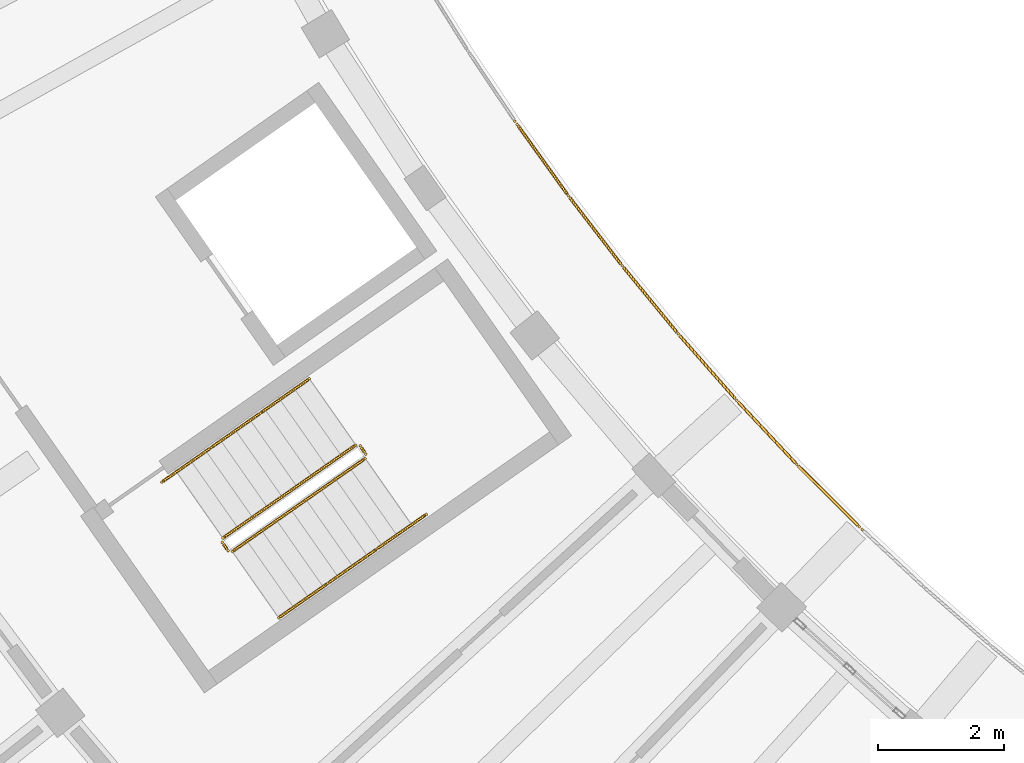
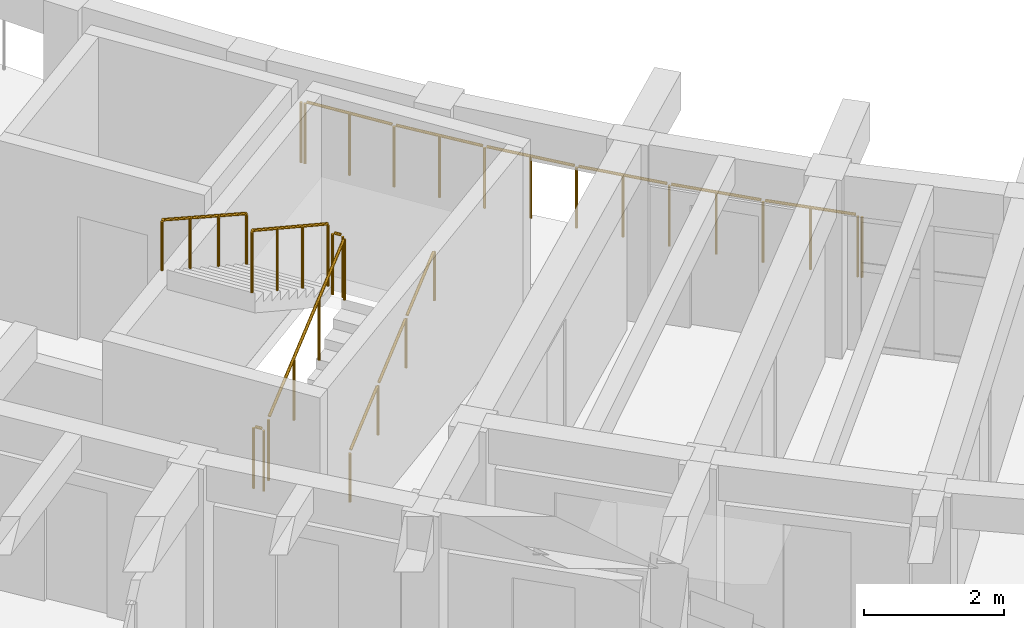
# One storey, part 62 of 78: 11 railings.
"""IFC4 building model written with IfcOpenShell, lengths in metres."""

from ifc_helpers import new_model, si_unit, direction, frame, origin, origin_2d, place, context, subcontext, project, spatial, circle, extrude, material, type_object, element, save


model = new_model("IFC4")

# Units and contexts
model_context = context("Model", 3, precision=1e-05, world=origin(), true_north=direction((0.0, 1.0)))
body_context = subcontext(model_context, "Body", "Model", "MODEL_VIEW")
ifc_project = project(units=[si_unit("LENGTHUNIT", "METRE"), si_unit("AREAUNIT", "SQUARE_METRE"), si_unit("VOLUMEUNIT", "CUBIC_METRE"), si_unit("PLANEANGLEUNIT", "RADIAN"), si_unit("MASSUNIT", "GRAM", prefix="KILO")], contexts=[model_context])

# Site, building, storey
site_placement = place(None, origin())
site = spatial("IfcSite", under=ifc_project, at=site_placement, CompositionType="ELEMENT")
building_placement = place(site_placement, origin())
building = spatial("IfcBuilding", under=site, at=building_placement, Name="Tanwirah Colonnade Gardens", CompositionType="ELEMENT")
storey_placement = place(building_placement, frame((0.0, 0.0, 22.280029296875)))
storey = spatial("IfcBuildingStorey", under=building, at=storey_placement, Name="L06", CompositionType="ELEMENT", Elevation=22.280029296875)

# Railings
ifc_material_1 = material(Name="Precast concrete C40/50", Category="concrete")
railing_type_1 = type_object("IfcRailingType", Name="BAL-EXT110", PredefinedType="BALUSTRADE", material=ifc_material_1)
railing_1_placement = place(storey_placement, frame((29.89892578125, 40.221923828125, 0.0)))
element("IfcRailing", 1, at=railing_1_placement, inside=storey, type_object=railing_type_1, Name="Block C L06 Balcony Ribbon Balustrade 3", PredefinedType="BALUSTRADE", context=body_context, shape_type="SweptSolid", body=[
    extrude(circle(Radius=0.02392578125, at=origin_2d()), frame((0.05224609375, -0.075927734375, 1.076171875), z_axis=(0.58342309678, -0.812168387802, 0.0), x_axis=(0.812168387802, 0.58342309678, 0.0)), (0.0, 0.0, 1.0), 1.331298828125),
    extrude(circle(Radius=0.02392578125, at=origin_2d()), frame((0.86767578125, -1.209716796875, 1.076171875), z_axis=(0.609651512095, -0.792669561546, 0.0), x_axis=(0.792669561546, 0.609651512095, 0.0)), (0.0, 0.0, 1.0), 1.33154296875),
    extrude(circle(Radius=0.02392578125, at=origin_2d()), frame((1.719970703125, -2.31591796875, 1.076171875), z_axis=(0.635209885743, -0.77233956331, 0.0), x_axis=(0.77233956331, 0.635209885743, 0.0)), (0.0, 0.0, 1.0), 1.33154296875),
    extrude(circle(Radius=0.02392578125, at=origin_2d()), frame((2.608154296875, -3.39404296875, 1.076171875), z_axis=(0.660288280901, -0.751012240982, 0.0), x_axis=(0.751012240982, 0.660288280901, 0.0)), (0.0, 0.0, 1.0), 1.33154296875),
    extrude(circle(Radius=0.02392578125, at=origin_2d()), frame((3.531005859375, -4.442138671875, 1.076171875), z_axis=(0.684424509294, -0.729083733928, 0.0), x_axis=(0.729083733928, 0.684424509294, 0.0)), (0.0, 0.0, 1.0), 1.33154296875),
    extrude(circle(Radius=0.02392578125, at=origin_2d()), frame((4.487548828125, -5.459716796875, 1.076171875), z_axis=(0.707894448134, -0.706318235855, 0.0), x_axis=(0.706318235855, 0.707894448134, 0.0)), (0.0, 0.0, 1.0), 1.33154296875),
    extrude(circle(Radius=0.02099609375, at=origin_2d()), origin(), (0.0, 0.0, 1.0), 1.049072265625),
    extrude(circle(Radius=0.02099609375, at=origin_2d()), frame((0.033935546875, -0.050537109375, 0.0)), (0.0, 0.0, 1.0), 1.049072265625),
    extrude(circle(Radius=0.02099609375, at=origin_2d()), frame((0.4404296875, -0.61669921875, 0.0)), (0.0, 0.0, 1.0), 1.049072265625),
    extrude(circle(Radius=0.02099609375, at=origin_2d()), frame((0.84716796875, -1.1826171875, 0.0)), (0.0, 0.0, 1.0), 1.049072265625),
    extrude(circle(Radius=0.02099609375, at=origin_2d()), frame((1.2734375, -1.7373046875, 0.0)), (0.0, 0.0, 1.0), 1.049072265625),
    extrude(circle(Radius=0.02099609375, at=origin_2d()), frame((1.698486328125, -2.289794921875, 0.0)), (0.0, 0.0, 1.0), 1.049072265625),
    extrude(circle(Radius=0.02099609375, at=origin_2d()), frame((2.14306640625, -2.830078125, 0.0)), (0.0, 0.0, 1.0), 1.049072265625),
    extrude(circle(Radius=0.02099609375, at=origin_2d()), frame((2.585693359375, -3.368408203125, 0.0)), (0.0, 0.0, 1.0), 1.049072265625),
    extrude(circle(Radius=0.02099609375, at=origin_2d()), frame((3.047607421875, -3.89404296875, 0.0)), (0.0, 0.0, 1.0), 1.049072265625),
    extrude(circle(Radius=0.02099609375, at=origin_2d()), frame((3.5078125, -4.41748046875, 0.0)), (0.0, 0.0, 1.0), 1.049072265625),
    extrude(circle(Radius=0.02099609375, at=origin_2d()), frame((3.986572265625, -4.927734375, 0.0)), (0.0, 0.0, 1.0), 1.049072265625),
    extrude(circle(Radius=0.02099609375, at=origin_2d()), frame((4.463623046875, -5.435791015625, 0.0)), (0.0, 0.0, 1.0), 1.049072265625),
    extrude(circle(Radius=0.02099609375, at=origin_2d()), frame((4.958740234375, -5.93017578125, 0.0)), (0.0, 0.0, 1.0), 1.049072265625),
    extrude(circle(Radius=0.02099609375, at=origin_2d()), frame((5.4521484375, -6.42236328125, 0.0)), (0.0, 0.0, 1.0), 1.049072265625),
    extrude(circle(Radius=0.02099609375, at=origin_2d()), frame((5.497314453125, -6.46484375, 0.0)), (0.0, 0.0, 1.0), 1.049072265625),
])
ifc_material_2 = material(Name="Powder-coated galvanized steel", Category="steel")
railing_type_2 = type_object("IfcRailingType", Name="GRD-ST110", PredefinedType="GUARDRAIL", material=ifc_material_2)
railing_2_placement = place(storey_placement, frame((25.426513671875, 33.40869140625, 0.16796875)))
element("IfcRailing", 2, at=railing_2_placement, inside=storey, type_object=railing_type_2, Name="L06 ST-C1 stair guard 1", PredefinedType="GUARDRAIL", context=body_context, shape_type="SweptSolid", body=[
    extrude(circle(Radius=0.02392578125, at=origin_2d()), frame((0.02197265625, 0.015380859375, 1.092041015625), z_axis=(0.705672637115, 0.494118441931, 0.507812066193), x_axis=(-0.573577325805, 0.819151421486, 0.0)), (0.0, 0.0, 1.0), 2.914794921875),
    extrude(circle(Radius=0.02099609375, at=origin_2d()), origin(), (0.0, 0.0, 1.0), 1.049072265625),
    extrude(circle(Radius=0.02099609375, at=origin_2d()), frame((0.700439453125, 0.490478515625, 0.50390625)), (0.0, 0.0, 1.0), 1.049072265625),
    extrude(circle(Radius=0.02099609375, at=origin_2d()), frame((1.400634765625, 0.980712890625, 1.008056640625)), (0.0, 0.0, 1.0), 1.049072265625),
    extrude(circle(Radius=0.02099609375, at=origin_2d()), frame((2.10107421875, 1.47119140625, 1.511962890625)), (0.0, 0.0, 1.0), 1.049072265625),
])
railing_3_placement = place(storey_placement, frame((27.539794921875, 34.94970703125, 1.679931640625)))
element("IfcRailing", 3, at=railing_3_placement, inside=storey, type_object=railing_type_2, Name="L06 ST-C1 stair guard 2", PredefinedType="GUARDRAIL", context=body_context, shape_type="SweptSolid", body=[
    extrude(circle(Radius=0.02392578125, at=origin_2d()), frame((-0.01806640625, 0.025634765625, 1.076171875), z_axis=(-0.57428210862, 0.81865747399, 0.0), x_axis=(-0.81865747399, -0.57428210862, 0.0)), (0.0, 0.0, 1.0), 0.097412109375),
    extrude(circle(Radius=0.02099609375, at=origin_2d()), origin(), (0.0, 0.0, 1.0), 1.049072265625),
    extrude(circle(Radius=0.02099609375, at=origin_2d()), frame((-0.091796875, 0.130859375, 0.0)), (0.0, 0.0, 1.0), 1.049072265625),
])
railing_4_placement = place(storey_placement, frame((27.37841796875, 35.093017578125, 1.847900390625)))
element("IfcRailing", 4, at=railing_4_placement, inside=storey, type_object=railing_type_2, Name="L06 ST-C1 stair guard 3", PredefinedType="GUARDRAIL", context=body_context, shape_type="SweptSolid", body=[
    extrude(circle(Radius=0.02392578125, at=origin_2d()), frame((-0.02197265625, -0.015380859375, 1.092041015625), z_axis=(-0.705672637115, -0.494118441931, 0.507812066193), x_axis=(0.573577325805, -0.819151421486, 0.0)), (0.0, 0.0, 1.0), 2.914794921875),
    extrude(circle(Radius=0.02099609375, at=origin_2d()), origin(), (0.0, 0.0, 1.0), 1.049072265625),
    extrude(circle(Radius=0.02099609375, at=origin_2d()), frame((-0.700439453125, -0.490478515625, 0.50390625)), (0.0, 0.0, 1.0), 1.049072265625),
    extrude(circle(Radius=0.02099609375, at=origin_2d()), frame((-1.400634765625, -0.980712890625, 1.008056640625)), (0.0, 0.0, 1.0), 1.049072265625),
    extrude(circle(Radius=0.02099609375, at=origin_2d()), frame((-2.10107421875, -1.47119140625, 1.511962890625)), (0.0, 0.0, 1.0), 1.049072265625),
])
railing_5_placement = place(storey_placement, frame((25.356689453125, 33.4208984375, 0.0)))
element("IfcRailing", 5, at=railing_5_placement, inside=storey, type_object=railing_type_2, Name="L06 ST-C1 stair guard 4", PredefinedType="GUARDRAIL", context=body_context, shape_type="SweptSolid", body=[
    extrude(circle(Radius=0.02392578125, at=origin_2d()), frame((-0.017822265625, 0.025634765625, 1.076171875), z_axis=(-0.57356471828, 0.819160249246, 0.0), x_axis=(-0.819160249246, -0.57356471828, 0.0)), (0.0, 0.0, 1.0), 0.097412109375),
    extrude(circle(Radius=0.02099609375, at=origin_2d()), origin(), (0.0, 0.0, 1.0), 1.049072265625),
    extrude(circle(Radius=0.02099609375, at=origin_2d()), frame((-0.091796875, 0.131103515625, 0.0)), (0.0, 0.0, 1.0), 1.049072265625),
])
ifc_material_3 = material(Name="Brushed bronze stainless steel", Category="steel")
railing_type_3 = type_object("IfcRailingType", Name="HR-ST090", PredefinedType="HANDRAIL", material=ifc_material_3)
railing_6_placement = place(storey_placement, frame((26.16064453125, 32.360107421875, 0.16796875)))
element("IfcRailing", 6, at=railing_6_placement, inside=storey, type_object=railing_type_3, Name="L06 ST-C1 stair handrail 1", PredefinedType="HANDRAIL", context=body_context, shape_type="SweptSolid", body=[
    extrude(circle(Radius=0.02392578125, at=origin_2d()), frame((0.02197265625, 0.015380859375, 0.891845703125), z_axis=(0.703686044561, 0.492823109966, 0.511811814023), x_axis=(-0.57365206981, 0.819099079967, 0.0)), (0.0, 0.0, 1.0), 1.043212890625),
    extrude(circle(Radius=0.02099609375, at=origin_2d()), origin(), (0.0, 0.0, 1.0), 0.848876953125),
    extrude(circle(Radius=0.02099609375, at=origin_2d()), frame((0.778076171875, 0.544921875, 0.56591796875)), (0.0, 0.0, 1.0), 0.848876953125),
])
railing_7_placement = place(storey_placement, frame((26.938720703125, 32.905029296875, 0.73388671875)))
element("IfcRailing", 7, at=railing_7_placement, inside=storey, type_object=railing_type_3, Name="L06 ST-C1 stair handrail 2", PredefinedType="HANDRAIL", context=body_context, shape_type="SweptSolid", body=[
    extrude(circle(Radius=0.02392578125, at=origin_2d()), frame((0.02197265625, 0.015380859375, 0.891845703125), z_axis=(0.703717970253, 0.492690875033, 0.511895223656), x_axis=(-0.573531324472, 0.819183630115, 0.0)), (0.0, 0.0, 1.0), 1.04345703125),
    extrude(circle(Radius=0.02099609375, at=origin_2d()), origin(), (0.0, 0.0, 1.0), 0.848876953125),
    extrude(circle(Radius=0.02099609375, at=origin_2d()), frame((0.7783203125, 0.544921875, 0.566162109375)), (0.0, 0.0, 1.0), 0.848876953125),
])
railing_8_placement = place(storey_placement, frame((27.717041015625, 33.449951171875, 1.300048828125)))
element("IfcRailing", 8, at=railing_8_placement, inside=storey, type_object=railing_type_3, Name="L06 ST-C1 stair handrail 3", PredefinedType="HANDRAIL", context=body_context, shape_type="SweptSolid", body=[
    extrude(circle(Radius=0.02392578125, at=origin_2d()), frame((0.02197265625, 0.015380859375, 0.891845703125), z_axis=(0.703686044561, 0.492823109966, 0.511811814023), x_axis=(-0.57365206981, 0.819099079967, 0.0)), (0.0, 0.0, 1.0), 1.043212890625),
    extrude(circle(Radius=0.02099609375, at=origin_2d()), origin(), (0.0, 0.0, 1.0), 0.848876953125),
    extrude(circle(Radius=0.02099609375, at=origin_2d()), frame((0.778076171875, 0.544921875, 0.56591796875)), (0.0, 0.0, 1.0), 0.848876953125),
])
railing_9_placement = place(storey_placement, frame((26.644287109375, 36.141357421875, 1.847900390625)))
element("IfcRailing", 9, at=railing_9_placement, inside=storey, type_object=railing_type_3, Name="L06 ST-C1 stair handrail 4", PredefinedType="HANDRAIL", context=body_context, shape_type="SweptSolid", body=[
    extrude(circle(Radius=0.02392578125, at=origin_2d()), frame((-0.02197265625, -0.015380859375, 0.891845703125), z_axis=(-0.703717970253, -0.492690875033, 0.511895223656), x_axis=(0.573531324472, -0.819183630115, 0.0)), (0.0, 0.0, 1.0), 1.04345703125),
    extrude(circle(Radius=0.02099609375, at=origin_2d()), origin(), (0.0, 0.0, 1.0), 0.848876953125),
    extrude(circle(Radius=0.02099609375, at=origin_2d()), frame((-0.7783203125, -0.544921875, 0.566162109375)), (0.0, 0.0, 1.0), 0.848876953125),
])
railing_10_placement = place(storey_placement, frame((25.865966796875, 35.596435546875, 2.4140625)))
element("IfcRailing", 10, at=railing_10_placement, inside=storey, type_object=railing_type_3, Name="L06 ST-C1 stair handrail 5", PredefinedType="HANDRAIL", context=body_context, shape_type="SweptSolid", body=[
    extrude(circle(Radius=0.02392578125, at=origin_2d()), frame((-0.02197265625, -0.015380859375, 0.891845703125), z_axis=(-0.703762611354, -0.492655910239, 0.511867503332), x_axis=(0.573479595945, -0.819219844141, 0.0)), (0.0, 0.0, 1.0), 1.04296875),
    extrude(circle(Radius=0.02099609375, at=origin_2d()), origin(), (0.0, 0.0, 1.0), 0.848876953125),
    extrude(circle(Radius=0.02099609375, at=origin_2d()), frame((-0.778076171875, -0.544677734375, 0.56591796875)), (0.0, 0.0, 1.0), 0.848876953125),
])
railing_11_placement = place(storey_placement, frame((25.087890625, 35.0517578125, 2.97998046875)))
element("IfcRailing", 11, at=railing_11_placement, inside=storey, type_object=railing_type_3, Name="L06 ST-C1 stair handrail 6", PredefinedType="HANDRAIL", context=body_context, shape_type="SweptSolid", body=[
    extrude(circle(Radius=0.02392578125, at=origin_2d()), frame((-0.02197265625, -0.015380859375, 0.891845703125), z_axis=(-0.703797483594, -0.492746544348, 0.511732298297), x_axis=(0.573531324472, -0.819183630115, 0.0)), (0.0, 0.0, 1.0), 1.04345703125),
    extrude(circle(Radius=0.02099609375, at=origin_2d()), origin(), (0.0, 0.0, 1.0), 0.848876953125),
    extrude(circle(Radius=0.02099609375, at=origin_2d()), frame((-0.7783203125, -0.544921875, 0.56591796875)), (0.0, 0.0, 1.0), 0.848876953125),
])

save(model, "model.ifc")
